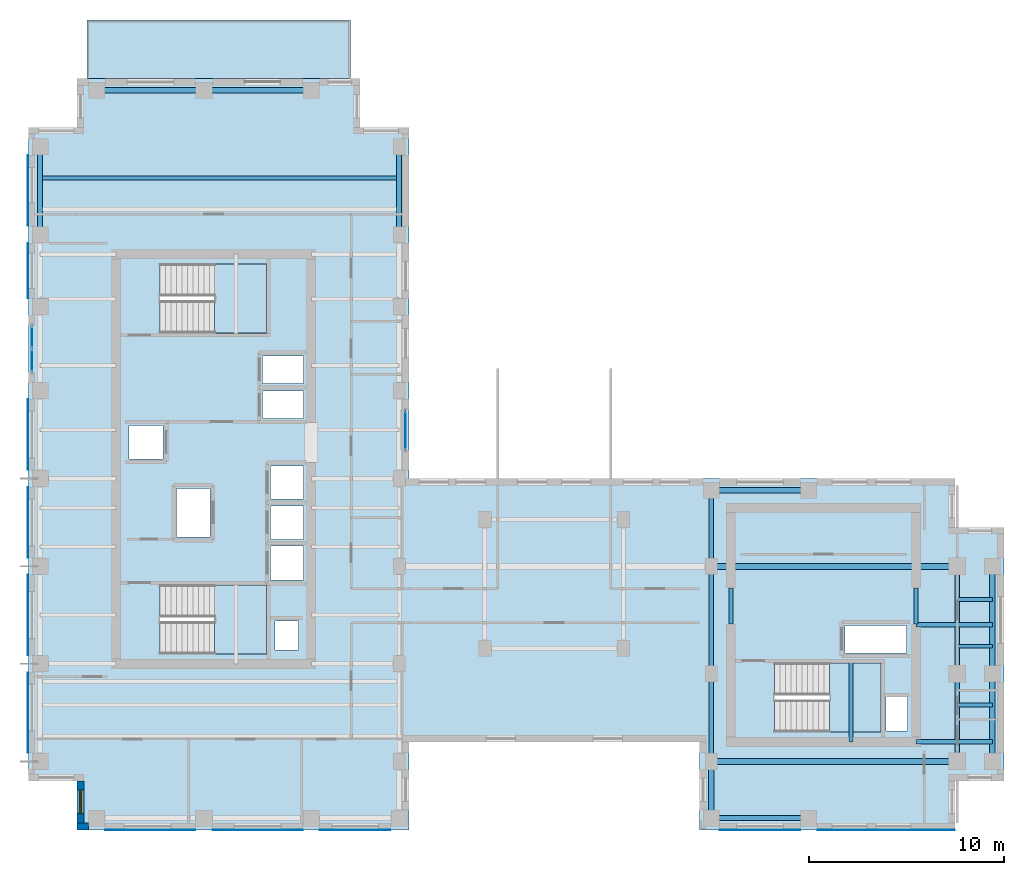
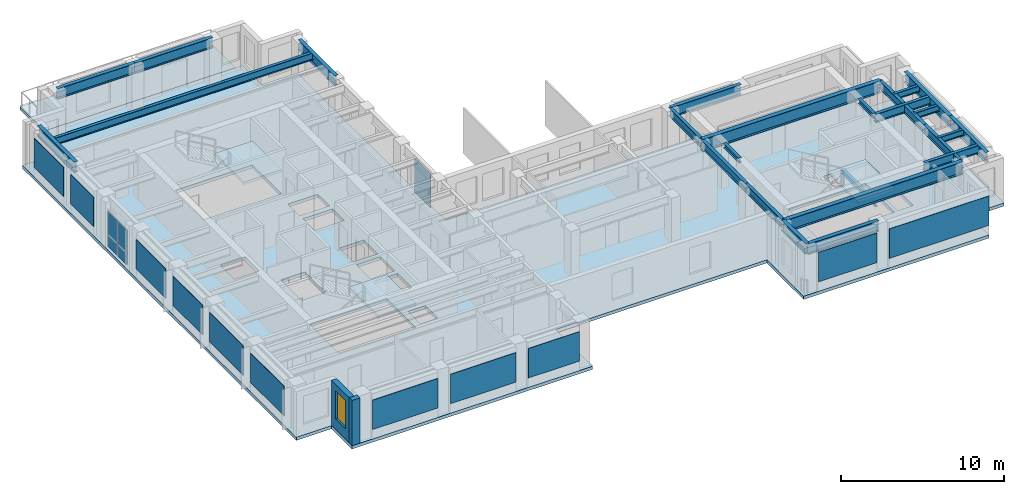
# One storey, part 5 of 14: 25 beams, 14 plates, 5 slabs, 2 walls, 1 window, 1 opening, 5 elements without a shape of their own.
"""IFC4 building model written with IfcOpenShell, lengths in metres."""

import ifcopenshell
import ifcopenshell.guid

model = None  # the IFC model being written
_history = None  # IfcOwnerHistory: only IFC2X3 demands one
_inside = {}  # id of a spatial element -> (the spatial element, [elements in it])
_under = {}  # id of a project, library or spatial element -> (it, [spatial elements below it])
_declared = {}  # id of a project -> (the project, [libraries it declares])
_typed = {}  # id of a type object -> (the type object, [elements of that type])
_made_of = {}  # id of a material, layer set ... -> (it, [elements and type objects made of it])


def new_model(schema):
    """Start an empty IFC model of exactly this schema.

    Asked for "IFC4X3", IfcOpenShell would pick the latest addendum, in which some entities
    have other attributes; the version numbers below select the first issue.
    IFC2X3 requires an IfcOwnerHistory on every rooted entity: one is made here for all.
    """
    global model, _history
    if schema == "IFC4X3":
        model = ifcopenshell.file(schema_version=(4, 3, 0, 0))
    else:
        model = ifcopenshell.file(schema=schema)
    _inside.clear()
    _under.clear()
    _declared.clear()
    _typed.clear()
    _made_of.clear()
    _history = None
    if model.schema == "IFC2X3":
        org = make("IfcOrganization", Name="unknown")
        user = make(
            "IfcPersonAndOrganization",
            ThePerson=make("IfcPerson", FamilyName="unknown"),
            TheOrganization=org,
        )
        app = make(
            "IfcApplication",
            ApplicationDeveloper=org,
            Version="unknown",
            ApplicationFullName="unknown",
            ApplicationIdentifier="unknown",
        )
        _history = make(
            "IfcOwnerHistory",
            OwningUser=user,
            OwningApplication=app,
            ChangeAction="ADDED",
            CreationDate=0,
        )
    return model


def make(cls, **values):
    """One entity of the class cls with the attributes given. An attribute that is None is left unset."""
    return model.create_entity(
        cls, **{name: value for name, value in values.items() if value is not None}
    )


def rooted(cls, **values):
    """An entity with a GlobalId (a new one), such as an element, a storey or a relation."""
    return make(cls, GlobalId=ifcopenshell.guid.new(), OwnerHistory=_history, **values)


def si_unit(unit_type, name, prefix=None):
    """IfcSIUnit, for example si_unit("LENGTHUNIT", "METRE", prefix="MILLI")."""
    return make("IfcSIUnit", UnitType=unit_type, Prefix=prefix, Name=name)


def assignment(units):
    """IfcUnitAssignment: the units of a project."""
    return None if units is None else make("IfcUnitAssignment", Units=units)


def point(xyz):
    """IfcCartesianPoint."""
    return None if xyz is None else make("IfcCartesianPoint", Coordinates=xyz)


def direction(xyz):
    """IfcDirection."""
    return None if xyz is None else make("IfcDirection", DirectionRatios=xyz)


def frame(location, z_axis=None, x_axis=None):
    """IfcAxis2Placement3D, a coordinate frame: its origin and axes. An axis left out is left unset."""
    return make(
        "IfcAxis2Placement3D",
        Location=point(location),
        Axis=direction(z_axis),
        RefDirection=direction(x_axis),
    )


def frame_2d(location, x_axis=None):
    """IfcAxis2Placement2D, a coordinate frame in the plane: its origin and x axis."""
    return make(
        "IfcAxis2Placement2D", Location=point(location), RefDirection=direction(x_axis)
    )


def origin():
    """The frame at (0, 0, 0) with its axes left unset."""
    return frame((0.0, 0.0, 0.0))


def origin_2d():
    """The frame at (0, 0) in the plane with its x axis left unset."""
    return frame_2d((0.0, 0.0))


def place(relative_to, where):
    """IfcLocalPlacement: puts the frame where relative to a parent placement (None: the world)."""
    return make(
        "IfcLocalPlacement", PlacementRelTo=relative_to, RelativePlacement=where
    )


def context(
    kind, dimensions, precision=None, world=None, true_north=None, identifier=None
):
    """IfcGeometricRepresentationContext, for example the 3D "Model" context."""
    return make(
        "IfcGeometricRepresentationContext",
        ContextIdentifier=identifier,
        ContextType=kind,
        CoordinateSpaceDimension=dimensions,
        Precision=precision,
        WorldCoordinateSystem=world,
        TrueNorth=true_north,
    )


def subcontext(parent, identifier, kind, view, scale=None):
    """IfcGeometricRepresentationSubContext, for example "Body" below "Model"."""
    return make(
        "IfcGeometricRepresentationSubContext",
        ContextIdentifier=identifier,
        ContextType=kind,
        ParentContext=parent,
        TargetScale=scale,
        TargetView=view,
    )


def project(units=None, contexts=None):
    """IfcProject with its units and contexts."""
    return rooted(
        "IfcProject",
        Name="project",
        RepresentationContexts=contexts,
        UnitsInContext=assignment(units),
    )


def spatial(cls, under=None, at=None, **own):
    """A site, building, storey or space (cls), placed at a placement, below another one or the project."""
    s = rooted(cls, ObjectPlacement=at, **own)
    if under is not None:
        _under.setdefault(under.id(), (under, []))[1].append(s)
    return s


def polyline(points):
    """IfcPolyline through the points."""
    return make("IfcPolyline", Points=[point(p) for p in points])


def profile(cls, at=None, kind="AREA", **sizes):
    """A parametric profile (cls). Its sizes go by their IFC names, for example OverallWidth=200.0."""
    return make(cls, ProfileType=kind, Position=at, **sizes)


def rectangle(**sizes):
    """IfcRectangleProfileDef."""
    return profile("IfcRectangleProfileDef", **sizes)


def i_section(**sizes):
    """IfcIShapeProfileDef."""
    return profile("IfcIShapeProfileDef", **sizes)


def outline(outer, holes=None, kind="AREA"):
    """IfcArbitraryClosedProfileDef: a profile drawn as a closed curve; with holes, ...WithVoids."""
    if holes is None:
        return make("IfcArbitraryClosedProfileDef", ProfileType=kind, OuterCurve=outer)
    return make(
        "IfcArbitraryProfileDefWithVoids",
        ProfileType=kind,
        OuterCurve=outer,
        InnerCurves=holes,
    )


def extrude(swept, where, along, depth):
    """IfcExtrudedAreaSolid: the profile swept, set in the frame where, extruded along a direction by depth."""
    return make(
        "IfcExtrudedAreaSolid",
        SweptArea=swept,
        Position=where,
        ExtrudedDirection=direction(along),
        Depth=depth,
    )


def shape(context_of_items, identifier, shape_type, items):
    """IfcShapeRepresentation: the items that make up one representation, for example the "Body"."""
    return make(
        "IfcShapeRepresentation",
        ContextOfItems=context_of_items,
        RepresentationIdentifier=identifier,
        RepresentationType=shape_type,
        Items=items,
    )


def source(mapping_origin, context_of_items, identifier, shape_type, items):
    """IfcRepresentationMap: a shape defined once, which mapped items show again and again."""
    return make(
        "IfcRepresentationMap",
        MappingOrigin=mapping_origin,
        MappedRepresentation=shape(context_of_items, identifier, shape_type, items),
    )


def transform(
    local_origin,
    x_axis=None,
    y_axis=None,
    z_axis=None,
    scale=None,
    scale2=None,
    scale3=None,
    uniform=True,
):
    """IfcCartesianTransformationOperator3D, or its non-uniform kind. x_axis, y_axis, z_axis: its Axis1, 2, 3."""
    if uniform:
        return make(
            "IfcCartesianTransformationOperator3D",
            Axis1=direction(x_axis),
            Axis2=direction(y_axis),
            LocalOrigin=point(local_origin),
            Scale=scale,
            Axis3=direction(z_axis),
        )
    return make(
        "IfcCartesianTransformationOperator3DnonUniform",
        Axis1=direction(x_axis),
        Axis2=direction(y_axis),
        LocalOrigin=point(local_origin),
        Scale=scale,
        Axis3=direction(z_axis),
        Scale2=scale2,
        Scale3=scale3,
    )


def mapped(mapping_source, mapping_target):
    """IfcMappedItem: shows the shape of a source again, moved by a transform."""
    return make(
        "IfcMappedItem", MappingSource=mapping_source, MappingTarget=mapping_target
    )


def material(Name=None, Category=None):
    """IfcMaterial."""
    return make("IfcMaterial", Name=Name, Category=Category)


def layer(
    of_material, thickness, ventilated=None, Name=None, Category=None, Priority=None
):
    """IfcMaterialLayer: one layer of a wall or slab, of a material (None: an air gap)."""
    return make(
        "IfcMaterialLayer",
        Material=of_material,
        LayerThickness=thickness,
        IsVentilated=ventilated,
        Name=Name,
        Category=Category,
        Priority=Priority,
    )


def layer_set(layers, Name=None):
    """IfcMaterialLayerSet."""
    return make("IfcMaterialLayerSet", MaterialLayers=layers, LayerSetName=Name)


def material_profile(
    of_material, cross_section, Name=None, Category=None, Priority=None
):
    """IfcMaterialProfile: a cross section and its material."""
    return make(
        "IfcMaterialProfile",
        Name=Name,
        Material=of_material,
        Profile=cross_section,
        Priority=Priority,
        Category=Category,
    )


def profile_set(profiles, Name=None, composite=None):
    """IfcMaterialProfileSet."""
    return make(
        "IfcMaterialProfileSet",
        Name=Name,
        MaterialProfiles=profiles,
        CompositeProfile=composite,
    )


def made_of(thing, what):
    """Note that an element or type object is made of a material, layer set ...; save() writes the relation."""
    if what is not None:
        _made_of.setdefault(what.id(), (what, []))[1].append(thing)
    return thing


def type_object(cls, material=None, **own):
    """A type object (cls), such as IfcWallType, which elements share."""
    return made_of(rooted(cls, **own), material)


def element(
    cls,
    number,
    at=None,
    inside=None,
    cuts=None,
    type_object=None,
    material=None,
    context=None,
    identifier="Body",
    shape_type=None,
    held_by="IfcProductDefinitionShape",
    body=None,
    shapes=None,
    **own,
):
    """One element of the class cls, such as IfcWall. Its Tag is "e" and its number.

    at: its placement. inside: the storey or other place that contains it. cuts: it is an
    opening in that element (IfcRelVoidsElement). A single representation is given by context,
    identifier, shape_type and body (its items); several are given by shapes. held_by: the class
    of the entity that holds the representations. save() writes the other relations.
    """
    e = rooted(cls, Tag="e%d" % number, ObjectPlacement=at, **own)
    if body is not None:
        shapes = [shape(context, identifier, shape_type, body)]
    if shapes is not None:
        e.Representation = make(held_by, Representations=shapes)
    if inside is not None:
        _inside.setdefault(inside.id(), (inside, []))[1].append(e)
    if cuts is not None:
        rooted(
            "IfcRelVoidsElement", RelatingBuildingElement=cuts, RelatedOpeningElement=e
        )
    if type_object is not None:
        _typed.setdefault(type_object.id(), (type_object, []))[1].append(e)
    return made_of(e, material)


def fill(opening, filler):
    """IfcRelFillsElement: the door or window that sits in an opening."""
    return rooted(
        "IfcRelFillsElement",
        RelatingOpeningElement=opening,
        RelatedBuildingElement=filler,
    )


def aggregate(whole, parts):
    """IfcRelAggregates: a whole, such as a stair, and the parts it consists of."""
    return rooted("IfcRelAggregates", RelatingObject=whole, RelatedObjects=parts)


def save(model, path):
    """Write the relations noted so far, then the file.

    IfcRelAggregates (storeys below a building ...), IfcRelContainedInSpatialStructure (elements
    in a storey), IfcRelDefinesByType, IfcRelAssociatesMaterial and IfcRelDeclares: one each for
    every whole, place, type object, material and project.
    """
    for whole, parts in _under.values():
        aggregate(whole, parts)
    for where, things in _inside.values():
        rooted(
            "IfcRelContainedInSpatialStructure",
            RelatedElements=things,
            RelatingStructure=where,
        )
    for kind, things in _typed.values():
        rooted("IfcRelDefinesByType", RelatedObjects=things, RelatingType=kind)
    for what, things in _made_of.values():
        rooted("IfcRelAssociatesMaterial", RelatedObjects=things, RelatingMaterial=what)
    for by, libraries in _declared.values():
        rooted("IfcRelDeclares", RelatingContext=by, RelatedDefinitions=libraries)
    model.write(path)


model = new_model("IFC4")

# Units and contexts
model_context = context("Model", 3, precision=1e-05, world=origin(), true_north=direction((0.0, 1.0)))
body_context = subcontext(model_context, "Body", "Model", "MODEL_VIEW")
ifc_project = project(units=[si_unit("LENGTHUNIT", "METRE"), si_unit("AREAUNIT", "SQUARE_METRE"), si_unit("VOLUMEUNIT", "CUBIC_METRE"), si_unit("PLANEANGLEUNIT", "RADIAN"), si_unit("MASSUNIT", "GRAM", prefix="KILO")], contexts=[model_context])

# Site, building, storey
site_placement = place(None, origin())
site = spatial("IfcSite", under=ifc_project, at=site_placement, CompositionType="ELEMENT")
building_placement = place(site_placement, origin())
building = spatial("IfcBuilding", under=site, at=building_placement, Name="Kharzan Plaza Tower", CompositionType="ELEMENT")
storey_placement = place(building_placement, frame((0.0, 0.0, 212.39990234375)))
storey = spatial("IfcBuildingStorey", under=building, at=storey_placement, Name="L57", CompositionType="ELEMENT", Elevation=212.39990234375)

# Beams
ifc_material_1 = material(Name="Steel S355", Category="steel")
ifc_material_profile_1 = material_profile(ifc_material_1, i_section(OverallWidth=0.205078125, OverallDepth=0.35400390625, WebThickness=0.009521484375, FlangeThickness=0.016845703125, at=origin_2d()), Name="W360x79")
ifc_profile_set_1 = profile_set([ifc_material_profile_1], Name="Steel S355")
beam_type_1 = type_object("IfcBeamType", Name="BM-LNT360", PredefinedType="LINTEL", material=ifc_profile_set_1)
shared_shape_1 = source(origin(), body_context, "Body", "SweptSolid", [
    extrude(i_section(OverallWidth=0.205078125, OverallDepth=0.35400390625, WebThickness=0.009521484375, FlangeThickness=0.016845703125, at=origin_2d()), origin(), (0.0, 0.0, 1.0), 1.849853515625),
])
for number, where, z_axis, x_axis, name in (
    (1, (45.5, 10.550048828125, 3.22314453125), (0.0, 1.0, 0.0), (-1.0, 0.0, 0.0), "L57 CORE-B coupling lintel LN1-WE"),
    (2, (36.0, 10.550048828125, 3.22314453125), (0.0, 1.0, 0.0), (-1.0, 0.0, 0.0), "L57 CORE-B coupling lintel LN1-WW"),
):
    element("IfcBeam", number, at=place(storey_placement, frame(where, z_axis=z_axis, x_axis=x_axis)), inside=storey, type_object=beam_type_1, Name=name, PredefinedType="LINTEL", context=body_context, shape_type="MappedRepresentation", body=[
        mapped(shared_shape_1, transform((0.0, 0.0, 0.0), x_axis=(1.0, 0.0, 0.0), y_axis=(0.0, 1.0, 0.0), z_axis=(0.0, 0.0, 1.0))),
    ])
shared_shape_2 = source(origin(), body_context, "Body", "SweptSolid", [
    extrude(i_section(OverallWidth=0.205078125, OverallDepth=0.35400390625, WebThickness=0.009521484375, FlangeThickness=0.016845703125, at=origin_2d()), origin(), (0.0, 0.0, 1.0), 4.155029296875),
])
beam_1_placement = place(storey_placement, frame((42.14990234375, 4.5, 1.423095703125), z_axis=(0.0, 1.0, 0.0), x_axis=(-1.0, 0.0, 0.0)))
element("IfcBeam", 3, at=beam_1_placement, inside=storey, type_object=beam_type_1, Name="L57 Stair ST-3 Half-Landing Beam", PredefinedType="LINTEL", context=body_context, shape_type="MappedRepresentation", body=[
    mapped(shared_shape_2, transform((0.0, 0.0, 0.0), x_axis=(1.0, 0.0, 0.0), y_axis=(0.0, 1.0, 0.0), z_axis=(0.0, 0.0, 1.0))),
])
ifc_material_profile_2 = material_profile(ifc_material_1, i_section(OverallWidth=0.304931640625, OverallDepth=0.9189453125, WebThickness=0.017333984375, FlangeThickness=0.02783203125, at=origin_2d()), Name="W920x253")
ifc_profile_set_2 = profile_set([ifc_material_profile_2], Name="Steel S355")
beam_type_2 = type_object("IfcBeamType", Name="BM-FG920B", PredefinedType="BEAM", material=ifc_profile_set_2)
shared_shape_3 = source(origin(), body_context, "Body", "SweptSolid", [
    extrude(i_section(OverallWidth=0.304931640625, OverallDepth=0.9189453125, WebThickness=0.017333984375, FlangeThickness=0.02783203125, at=origin_2d()), origin(), (0.0, 0.0, 1.0), 12.60009765625),
])
for number, where, z_axis, x_axis, name in (
    (4, (35.0, 3.5, 2.940673828125), (1.0, 0.0, 0.0), (0.0, 1.0, 0.0), "L57 Primary Floor Girder"),
    (5, (35.0, 13.5, 2.940673828125), (1.0, 0.0, 0.0), (0.0, 1.0, 0.0), "L57 Primary Floor Girder"),
):
    element("IfcBeam", number, at=place(storey_placement, frame(where, z_axis=z_axis, x_axis=x_axis)), inside=storey, type_object=beam_type_2, Name=name, PredefinedType="BEAM", context=body_context, shape_type="MappedRepresentation", body=[
        mapped(shared_shape_3, transform((0.0, 0.0, 0.0), x_axis=(1.0, 0.0, 0.0), y_axis=(0.0, 1.0, 0.0), z_axis=(0.0, 0.0, 1.0))),
    ])
ifc_material_profile_3 = material_profile(ifc_material_1, i_section(OverallWidth=0.2099609375, OverallDepth=0.537109375, WebThickness=0.010986328125, FlangeThickness=0.017333984375, at=origin_2d()), Name="W530x101")
ifc_profile_set_3 = profile_set([ifc_material_profile_3], Name="Steel S355")
beam_type_3 = type_object("IfcBeamType", Name="BM-JST530B", PredefinedType="JOIST", material=ifc_profile_set_3)
shared_shape_4 = source(origin(), body_context, "Body", "SweptSolid", [
    extrude(i_section(OverallWidth=0.2099609375, OverallDepth=0.537109375, WebThickness=0.010986328125, FlangeThickness=0.017333984375, at=origin_2d()), origin(), (0.0, 0.0, 1.0), 18.39990234375),
])
beam_2_placement = place(storey_placement, frame((0.60009765625, 33.39990234375, 3.131591796875), z_axis=(1.0, 0.0, 0.0), x_axis=(0.0, 1.0, 0.0)))
element("IfcBeam", 6, at=beam_2_placement, inside=storey, type_object=beam_type_3, Name="L57 Wing A Composite Joist 05", PredefinedType="JOIST", context=body_context, shape_type="MappedRepresentation", body=[
    mapped(shared_shape_4, transform((0.0, 0.0, 0.0), x_axis=(1.0, 0.0, 0.0), y_axis=(0.0, 1.0, 0.0), z_axis=(0.0, 0.0, 1.0))),
])
ifc_material_profile_4 = material_profile(ifc_material_1, i_section(OverallWidth=0.22900390625, OverallDepth=0.612060546875, WebThickness=0.011962890625, FlangeThickness=0.01953125, at=origin_2d()), Name="W610x125")
ifc_profile_set_4 = profile_set([ifc_material_profile_4], Name="Steel S355")
beam_type_4 = type_object("IfcBeamType", Name="BM-FG610B", PredefinedType="BEAM", material=ifc_profile_set_4)
shared_shape_5 = source(origin(), body_context, "Body", "SweptSolid", [
    extrude(i_section(OverallWidth=0.22900390625, OverallDepth=0.612060546875, WebThickness=0.011962890625, FlangeThickness=0.01953125, at=origin_2d()), origin(), (0.0, 0.0, 1.0), 4.5),
])
for number, where, z_axis, x_axis, name in (
    (7, (35.0, 3.5, 3.093994140625), (0.0, 1.0, 0.0), (-1.0, 0.0, 0.0), "L57 Interior Frame Girder"),
    (8, (47.60009765625, 3.5, 3.093994140625), (0.0, 1.0, 0.0), (-1.0, 0.0, 0.0), "L57 Interior Frame Girder"),
):
    element("IfcBeam", number, at=place(storey_placement, frame(where, z_axis=z_axis, x_axis=x_axis)), inside=storey, type_object=beam_type_4, Name=name, PredefinedType="BEAM", context=body_context, shape_type="MappedRepresentation", body=[
        mapped(shared_shape_5, transform((0.0, 0.0, 0.0), x_axis=(1.0, 0.0, 0.0), y_axis=(0.0, 1.0, 0.0), z_axis=(0.0, 0.0, 1.0))),
    ])
shared_shape_6 = source(origin(), body_context, "Body", "SweptSolid", [
    extrude(i_section(OverallWidth=0.22900390625, OverallDepth=0.612060546875, WebThickness=0.011962890625, FlangeThickness=0.01953125, at=origin_2d()), origin(), (0.0, 0.0, 1.0), 3.89990234375),
])
for number, where, z_axis, x_axis, name in (
    (9, (45.5, 4.5, 3.093994140625), (1.0, 0.0, 0.0), (0.0, 1.0, 0.0), "L57 Core-B East Floor Girder 1"),
    (10, (45.5, 10.5, 3.093994140625), (1.0, 0.0, 0.0), (0.0, 1.0, 0.0), "L57 Core-B East Floor Girder 2"),
    (11, (35.0, 13.5, 3.093994140625), (0.0, 1.0, 0.0), (-1.0, 0.0, 0.0), "L57 Interior Frame Girder"),
):
    element("IfcBeam", number, at=place(storey_placement, frame(where, z_axis=z_axis, x_axis=x_axis)), inside=storey, type_object=beam_type_4, Name=name, PredefinedType="BEAM", context=body_context, shape_type="MappedRepresentation", body=[
        mapped(shared_shape_6, transform((0.0, 0.0, 0.0), x_axis=(1.0, 0.0, 0.0), y_axis=(0.0, 1.0, 0.0), z_axis=(0.0, 0.0, 1.0))),
    ])
shared_shape_7 = source(origin(), body_context, "Body", "SweptSolid", [
    extrude(i_section(OverallWidth=0.22900390625, OverallDepth=0.612060546875, WebThickness=0.011962890625, FlangeThickness=0.01953125, at=origin_2d()), origin(), (0.0, 0.0, 1.0), 5.5),
])
for number, where, z_axis, x_axis, name in (
    (12, (35.0, 8.0, 3.093994140625), (0.0, 1.0, 0.0), (-1.0, 0.0, 0.0), "L57 Interior Frame Girder"),
    (13, (47.60009765625, 8.0, 3.093994140625), (0.0, 1.0, 0.0), (-1.0, 0.0, 0.0), "L57 Interior Frame Girder"),
):
    element("IfcBeam", number, at=place(storey_placement, frame(where, z_axis=z_axis, x_axis=x_axis)), inside=storey, type_object=beam_type_4, Name=name, PredefinedType="BEAM", context=body_context, shape_type="MappedRepresentation", body=[
        mapped(shared_shape_7, transform((0.0, 0.0, 0.0), x_axis=(1.0, 0.0, 0.0), y_axis=(0.0, 1.0, 0.0), z_axis=(0.0, 0.0, 1.0))),
    ])
ifc_material_profile_5 = material_profile(ifc_material_1, i_section(OverallWidth=0.194091796875, OverallDepth=0.468994140625, WebThickness=0.011474609375, FlangeThickness=0.0205078125, at=origin_2d()), Name="W460x106")
ifc_profile_set_5 = profile_set([ifc_material_profile_5], Name="Steel S355")
beam_type_5 = type_object("IfcBeamType", Name="BM-JST460", PredefinedType="JOIST", material=ifc_profile_set_5)
shared_shape_8 = source(origin(), body_context, "Body", "SweptSolid", [
    extrude(i_section(OverallWidth=0.194091796875, OverallDepth=0.468994140625, WebThickness=0.011474609375, FlangeThickness=0.0205078125, at=origin_2d()), origin(), (0.0, 0.0, 1.0), 1.7998046875),
])
for number, where, z_axis, x_axis, name in (
    (14, (47.60009765625, 6.39990234375, 3.16552734375), (1.0, 0.0, 0.0), (0.0, 1.0, 0.0), "L57 Wing B Composite Joist 02"),
    (15, (47.60009765625, 9.39990234375, 3.16552734375), (1.0, 0.0, 0.0), (0.0, 1.0, 0.0), "L57 Wing B Composite Joist 03"),
    (16, (47.60009765625, 11.800048828125, 3.16552734375), (1.0, 0.0, 0.0), (0.0, 1.0, 0.0), "L57 Wing B Composite Joist 04"),
):
    element("IfcBeam", number, at=place(storey_placement, frame(where, z_axis=z_axis, x_axis=x_axis)), inside=storey, type_object=beam_type_5, Name=name, PredefinedType="JOIST", context=body_context, shape_type="MappedRepresentation", body=[
        mapped(shared_shape_8, transform((0.0, 0.0, 0.0), x_axis=(1.0, 0.0, 0.0), y_axis=(0.0, 1.0, 0.0), z_axis=(0.0, 0.0, 1.0))),
    ])
ifc_material_profile_6 = material_profile(ifc_material_1, i_section(OverallWidth=0.26708984375, OverallDepth=0.76611328125, WebThickness=0.014892578125, FlangeThickness=0.023681640625, at=origin_2d()), Name="W760x185")
ifc_profile_set_6 = profile_set([ifc_material_profile_6], Name="Steel S355")
beam_type_6 = type_object("IfcBeamType", Name="BM-SP760B", PredefinedType="SPANDREL", material=ifc_profile_set_6)
shared_shape_9 = source(origin(), body_context, "Body", "SweptSolid", [
    extrude(i_section(OverallWidth=0.26708984375, OverallDepth=0.76611328125, WebThickness=0.014892578125, FlangeThickness=0.023681640625, at=origin_2d()), origin(), (0.0, 0.0, 1.0), 5.0),
])
for number, where, z_axis, x_axis, name in (
    (17, (35.0, 0.60009765625, 3.01708984375), (1.0, 0.0, 0.0), (0.0, 1.0, 0.0), "L57 Perimeter Tube Spandrel"),
    (18, (35.0, 17.39990234375, 3.01708984375), (1.0, 0.0, 0.0), (0.0, 1.0, 0.0), "L57 Perimeter Tube Spandrel"),
):
    element("IfcBeam", number, at=place(storey_placement, frame(where, z_axis=z_axis, x_axis=x_axis)), inside=storey, type_object=beam_type_6, Name=name, PredefinedType="SPANDREL", context=body_context, shape_type="MappedRepresentation", body=[
        mapped(shared_shape_9, transform((0.0, 0.0, 0.0), x_axis=(1.0, 0.0, 0.0), y_axis=(0.0, 1.0, 0.0), z_axis=(0.0, 0.0, 1.0))),
    ])
shared_shape_10 = source(origin(), body_context, "Body", "SweptSolid", [
    extrude(i_section(OverallWidth=0.26708984375, OverallDepth=0.76611328125, WebThickness=0.014892578125, FlangeThickness=0.023681640625, at=origin_2d()), origin(), (0.0, 0.0, 1.0), 4.5),
])
for number, where, z_axis, x_axis, name in (
    (19, (0.60009765625, 30.5, 3.01708984375), (0.0, 1.0, 0.0), (-1.0, 0.0, 0.0), "L57 Perimeter Tube Spandrel"),
    (20, (19.0, 30.5, 3.01708984375), (0.0, 1.0, 0.0), (-1.0, 0.0, 0.0), "L57 Perimeter Tube Spandrel"),
    (21, (49.39990234375, 3.5, 3.01708984375), (0.0, 1.0, 0.0), (-1.0, 0.0, 0.0), "L57 Perimeter Tube Spandrel"),
):
    element("IfcBeam", number, at=place(storey_placement, frame(where, z_axis=z_axis, x_axis=x_axis)), inside=storey, type_object=beam_type_6, Name=name, PredefinedType="SPANDREL", context=body_context, shape_type="MappedRepresentation", body=[
        mapped(shared_shape_10, transform((0.0, 0.0, 0.0), x_axis=(1.0, 0.0, 0.0), y_axis=(0.0, 1.0, 0.0), z_axis=(0.0, 0.0, 1.0))),
    ])
shared_shape_11 = source(origin(), body_context, "Body", "SweptSolid", [
    extrude(i_section(OverallWidth=0.26708984375, OverallDepth=0.76611328125, WebThickness=0.014892578125, FlangeThickness=0.023681640625, at=origin_2d()), origin(), (0.0, 0.0, 1.0), 2.89990234375),
])
beam_3_placement = place(storey_placement, frame((35.0, 0.60009765625, 3.01708984375), z_axis=(0.0, 1.0, 0.0), x_axis=(-1.0, 0.0, 0.0)))
element("IfcBeam", 22, at=beam_3_placement, inside=storey, type_object=beam_type_6, Name="L57 Perimeter Tube Spandrel", PredefinedType="SPANDREL", context=body_context, shape_type="MappedRepresentation", body=[
    mapped(shared_shape_11, transform((0.0, 0.0, 0.0), x_axis=(1.0, 0.0, 0.0), y_axis=(0.0, 1.0, 0.0), z_axis=(0.0, 0.0, 1.0))),
])
shared_shape_12 = source(origin(), body_context, "Body", "SweptSolid", [
    extrude(i_section(OverallWidth=0.26708984375, OverallDepth=0.76611328125, WebThickness=0.014892578125, FlangeThickness=0.023681640625, at=origin_2d()), origin(), (0.0, 0.0, 1.0), 5.5),
])
for number, where, z_axis, x_axis, name in (
    (23, (49.39990234375, 8.0, 3.01708984375), (0.0, 1.0, 0.0), (-1.0, 0.0, 0.0), "L57 Perimeter Tube Spandrel"),
    (24, (3.5, 37.89990234375, 3.01708984375), (1.0, 0.0, 0.0), (0.0, 1.0, 0.0), "L57 Perimeter Tube Spandrel"),
    (25, (9.0, 37.89990234375, 3.01708984375), (1.0, 0.0, 0.0), (0.0, 1.0, 0.0), "L57 Perimeter Tube Spandrel"),
):
    element("IfcBeam", number, at=place(storey_placement, frame(where, z_axis=z_axis, x_axis=x_axis)), inside=storey, type_object=beam_type_6, Name=name, PredefinedType="SPANDREL", context=body_context, shape_type="MappedRepresentation", body=[
        mapped(shared_shape_12, transform((0.0, 0.0, 0.0), x_axis=(1.0, 0.0, 0.0), y_axis=(0.0, 1.0, 0.0), z_axis=(0.0, 0.0, 1.0))),
    ])

# Slab
ifc_material_2 = material(Name="Concrete C40/50", Category="concrete")
ifc_layer_1 = layer(ifc_material_2, 0.239990234375)
ifc_layer_set_1 = layer_set([ifc_layer_1], Name="Concrete C40/50")
slab_type_1 = type_object("IfcSlabType", Name="SL-FLOOR-240", PredefinedType="FLOOR", material=ifc_layer_set_1)
slab_1_placement = place(storey_placement, frame((0.0, 0.0, -0.239990234375)))
element("IfcSlab", 26, at=slab_1_placement, inside=storey, type_object=slab_type_1, Name="L57 Composite Structural Floor Slab 240 mm", PredefinedType="FLOOR", context=body_context, shape_type="SweptSolid", body=[
    extrude(outline(polyline([(34.39990234375, 18.0), (19.5, 18.0), (19.5, 36.0), (17.0, 36.0), (17.0, 38.5), (2.5, 38.5), (2.5, 36.0), (0.0, 36.0), (0.0, 2.5), (2.5, 2.5), (2.5, 0.0), (19.5, 0.0), (19.5, 4.5), (34.39990234375, 4.5), (34.39990234375, 0.0), (47.5, 0.0), (47.5, 2.5), (50.0, 2.5), (50.0, 15.5), (47.5, 15.5), (47.5, 18.0), (34.39990234375, 18.0)]), holes=[polyline([(12.199951171875, 12.550048828125), (6.75, 12.550048828125), (6.75, 9.0), (12.199951171875, 9.0), (12.199951171875, 12.550048828125)]), polyline([(14.10009765625, 12.800048828125), (14.10009765625, 14.530029296875), (12.39990234375, 14.530029296875), (12.39990234375, 12.800048828125), (14.10009765625, 12.800048828125)]), polyline([(9.300048828125, 15.0), (9.300048828125, 17.5), (7.60009765625, 17.5), (7.60009765625, 15.0), (9.300048828125, 15.0)]), polyline([(6.89990234375, 20.72998046875), (5.14990234375, 20.72998046875), (5.14990234375, 19.010009765625), (6.89990234375, 19.010009765625), (6.89990234375, 20.72998046875)]), polyline([(14.10009765625, 21.070068359375), (14.10009765625, 22.489990234375), (12.0, 22.489990234375), (12.0, 21.070068359375), (14.10009765625, 21.070068359375)]), polyline([(14.10009765625, 22.8701171875), (14.10009765625, 24.2900390625), (12.0, 24.2900390625), (12.0, 22.8701171875), (14.10009765625, 22.8701171875)]), polyline([(12.199951171875, 29.0), (6.75, 29.0), (6.75, 25.449951171875), (12.199951171875, 25.449951171875), (12.199951171875, 29.0)]), polyline([(45.050048828125, 5.050048828125), (45.050048828125, 6.800048828125), (43.949951171875, 6.800048828125), (43.949951171875, 5.050048828125), (45.050048828125, 5.050048828125)]), polyline([(43.699951171875, 5.0), (43.699951171875, 8.550048828125), (38.25, 8.550048828125), (38.25, 5.0), (43.699951171875, 5.0)]), polyline([(45.0, 9.070068359375), (45.0, 10.469970703125), (41.85009765625, 10.469970703125), (41.85009765625, 9.070068359375), (45.0, 9.070068359375)]), polyline([(13.85009765625, 9.199951171875), (13.85009765625, 10.699951171875), (12.64990234375, 10.699951171875), (12.64990234375, 9.199951171875), (13.85009765625, 9.199951171875)]), polyline([(14.10009765625, 14.8701171875), (14.10009765625, 16.60009765625), (12.39990234375, 16.60009765625), (12.39990234375, 14.8701171875), (14.10009765625, 14.8701171875)]), polyline([(14.10009765625, 16.93994140625), (14.10009765625, 18.64990234375), (12.39990234375, 18.64990234375), (12.39990234375, 16.93994140625), (14.10009765625, 16.93994140625)])]), origin(), (0.0, 0.0, 1.0), 0.239990234375),
])

# Stair, slab
stair_type_1 = type_object("IfcStairType", Name="STR-ST-1", PredefinedType="HALF_TURN_STAIR", material=ifc_material_2)
stair_1_placement = place(storey_placement, origin())
stair_1 = element("IfcStair", 27, at=stair_1_placement, inside=storey, type_object=stair_type_1, Name="L57 Protected Exit Stair ST-1", PredefinedType="HALF_TURN_STAIR")
ifc_layer_2 = layer(ifc_material_2, 0.219970703125)
ifc_layer_set_2 = layer_set([ifc_layer_2], Name="Concrete C40/50")
slab_type_2 = type_object("IfcSlabType", Name="SL-LANDING-220", PredefinedType="LANDING", material=ifc_layer_set_2)
slab_2_placement = place(storey_placement, frame((0.0, 0.0, 1.60009765625)))
slab_2 = element("IfcSlab", 28, at=slab_2_placement, type_object=slab_type_2, Name="ST-1 landing 1", PredefinedType="LANDING", context=body_context, shape_type="SweptSolid", body=[
    extrude(outline(polyline([(9.550048828125, 9.0), (12.199951171875, 9.0), (12.199951171875, 12.550048828125), (9.550048828125, 12.550048828125), (9.550048828125, 9.0)])), origin(), (0.0, 0.0, 1.0), 0.199951171875),
])
aggregate(stair_1, [slab_2])

stair_type_2 = type_object("IfcStairType", Name="STR-ST-2", PredefinedType="HALF_TURN_STAIR", material=ifc_material_2)
stair_2_placement = place(storey_placement, origin())
stair_2 = element("IfcStair", 29, at=stair_2_placement, inside=storey, type_object=stair_type_2, Name="L57 Protected Exit Stair ST-2", PredefinedType="HALF_TURN_STAIR")
slab_3_placement = place(storey_placement, frame((0.0, 0.0, 1.60009765625)))
slab_3 = element("IfcSlab", 30, at=slab_3_placement, type_object=slab_type_2, Name="ST-2 landing 1", PredefinedType="LANDING", context=body_context, shape_type="SweptSolid", body=[
    extrude(outline(polyline([(9.550048828125, 25.449951171875), (12.199951171875, 25.449951171875), (12.199951171875, 29.0), (9.550048828125, 29.0), (9.550048828125, 25.449951171875)])), origin(), (0.0, 0.0, 1.0), 0.199951171875),
])
aggregate(stair_2, [slab_3])

stair_type_3 = type_object("IfcStairType", Name="STR-ST-3", PredefinedType="HALF_TURN_STAIR", material=ifc_material_2)
stair_3_placement = place(storey_placement, origin())
stair_3 = element("IfcStair", 31, at=stair_3_placement, inside=storey, type_object=stair_type_3, Name="L57 Protected Exit Stair ST-3", PredefinedType="HALF_TURN_STAIR")
slab_4_placement = place(storey_placement, frame((0.0, 0.0, 1.60009765625)))
slab_4 = element("IfcSlab", 32, at=slab_4_placement, type_object=slab_type_2, Name="ST-3 landing 1", PredefinedType="LANDING", context=body_context, shape_type="SweptSolid", body=[
    extrude(outline(polyline([(41.050048828125, 5.0), (43.699951171875, 5.0), (43.699951171875, 8.550048828125), (41.050048828125, 8.550048828125), (41.050048828125, 5.0)])), origin(), (0.0, 0.0, 1.0), 0.199951171875),
])
aggregate(stair_3, [slab_4])

# Slab
ifc_layer_3 = layer(ifc_material_2, 0.235107421875)
ifc_layer_set_3 = layer_set([ifc_layer_3], Name="Concrete C40/50")
slab_type_3 = type_object("IfcSlabType", Name="SL-TERR-TS-SB3", PredefinedType="ROOF", material=ifc_layer_set_3)
slab_5_placement = place(storey_placement, frame((0.0, 0.0, -0.23486328125)))
element("IfcSlab", 33, at=slab_5_placement, inside=storey, type_object=slab_type_3, Name="L57 Upper Setback Sky Terrace", PredefinedType="ROOF", context=body_context, shape_type="SweptSolid", body=[
    extrude(outline(polyline([(3.0, 38.5), (16.5, 38.5), (16.5, 41.5), (3.0, 41.5), (3.0, 38.5)])), origin(), (0.0, 0.0, 1.0), 0.23486328125),
])

# Curtain wall, plate
ifc_material_3 = material(Name="Unitised Bronze-Anodized Aluminium and Low-E Glass", Category="aluminium")
ifc_layer_4 = layer(ifc_material_3, 0.199951171875)
ifc_layer_set_4 = layer_set([ifc_layer_4], Name="Unitised Bronze-Anodized Aluminium and Low-E Glass")
curtain_wall_type_1 = type_object("IfcCurtainWallType", Name="CW-SLOT-3", PredefinedType="NOTDEFINED", material=ifc_layer_set_4)
curtain_wall_1_placement = place(storey_placement, origin())
curtain_wall_1 = element("IfcCurtainWall", 34, at=curtain_wall_1_placement, inside=storey, type_object=curtain_wall_type_1, Name="L57 West Slot Recessed Spine Curtain Wall", PredefinedType="NOTDEFINED")
ifc_material_4 = material(Name="Dark Solar-Control Double Glazing", Category="glass")
ifc_layer_5 = layer(ifc_material_4, 0.031982421875)
ifc_layer_set_5 = layer_set([ifc_layer_5], Name="Dark Solar-Control Double Glazing")
plate_type_1 = type_object("IfcPlateType", Name="PLT-CW-GLASS", PredefinedType="CURTAIN_PANEL", material=ifc_layer_set_5)
shared_shape_13 = source(origin(), body_context, "Body", "SweptSolid", [
    extrude(rectangle(XDim=1.929931640625, YDim=0.031982421875, at=origin_2d()), origin(), (0.0, 0.0, 1.0), 2.5400390625),
])
plate_1_placement = place(storey_placement, frame((19.320068359375, 20.47509765625, 0.080078125), z_axis=(0.0, 0.0, 1.0), x_axis=(0.0, 1.0, 0.0)))
plate_1 = element("IfcPlate", 35, at=plate_1_placement, type_object=plate_type_1, Name="L57 Curtain-Wall Glazed Panel 00", PredefinedType="CURTAIN_PANEL", context=body_context, shape_type="MappedRepresentation", body=[
    mapped(shared_shape_13, transform((0.0, 0.0, 0.0), x_axis=(1.0, 0.0, 0.0), y_axis=(0.0, 1.0, 0.0), z_axis=(0.0, 0.0, 1.0))),
])
aggregate(curtain_wall_1, [plate_1])

# Curtain wall, plates
ifc_layer_6 = layer(ifc_material_3, 0.199951171875)
ifc_layer_set_6 = layer_set([ifc_layer_6], Name="Unitised Bronze-Anodized Aluminium and Low-E Glass")
curtain_wall_type_2 = type_object("IfcCurtainWallType", Name="CW-SKY-4", PredefinedType="NOTDEFINED", material=ifc_layer_set_6)
curtain_wall_2_placement = place(storey_placement, origin())
curtain_wall_2 = element("IfcCurtainWall", 36, at=curtain_wall_2_placement, inside=storey, type_object=curtain_wall_type_2, Name="L57 Sky-Lobby and Transfer Zone Feature Curtain Wall", PredefinedType="NOTDEFINED")
shared_shape_14 = source(origin(), body_context, "Body", "SweptSolid", [
    extrude(rectangle(XDim=1.080078125, YDim=0.031982421875, at=origin_2d()), origin(), (0.0, 0.0, 1.0), 2.590087890625),
])
plate_2_placement = place(storey_placement, frame((0.179931640625, 24.050048828125, 0.080078125), z_axis=(0.0, 0.0, 1.0), x_axis=(0.0, 1.0, 0.0)))
plate_2 = element("IfcPlate", 37, at=plate_2_placement, type_object=plate_type_1, Name="L57 Curtain-Wall Glazed Panel 00", PredefinedType="CURTAIN_PANEL", context=body_context, shape_type="MappedRepresentation", body=[
    mapped(shared_shape_14, transform((0.0, 0.0, 0.0), x_axis=(1.0, 0.0, 0.0), y_axis=(0.0, 1.0, 0.0), z_axis=(0.0, 0.0, 1.0))),
])
plate_3_placement = place(storey_placement, frame((0.179931640625, 25.25, 0.080078125), z_axis=(0.0, 0.0, 1.0), x_axis=(0.0, 1.0, 0.0)))
plate_3 = element("IfcPlate", 38, at=plate_3_placement, type_object=plate_type_1, Name="L57 Curtain-Wall Glazed Panel 01", PredefinedType="CURTAIN_PANEL", context=body_context, shape_type="MappedRepresentation", body=[
    mapped(shared_shape_14, transform((0.0, 0.0, 0.0), x_axis=(1.0, 0.0, 0.0), y_axis=(0.0, 1.0, 0.0), z_axis=(0.0, 0.0, 1.0))),
])
aggregate(curtain_wall_2, [plate_2, plate_3])

# Plates
ifc_material_5 = material(Name="Perforated Bronze-Anodized Aluminium", Category="aluminium")
ifc_layer_7 = layer(ifc_material_5, 0.030029296875)
ifc_layer_set_7 = layer_set([ifc_layer_7], Name="Perforated Bronze-Anodized Aluminium")
plate_type_2 = type_object("IfcPlateType", Name="PLT-MASH-SCREEN", PredefinedType="SHEET", material=ifc_layer_set_7)
shared_shape_15 = source(origin(), body_context, "Body", "SweptSolid", [
    extrude(rectangle(XDim=3.614013671875, YDim=0.030029296875, at=origin_2d()), origin(), (0.0, 0.0, 1.0), 2.199951171875),
])
for number, where, z_axis, x_axis, name in (
    (39, (-0.012939453125, 32.75, 0.72998046875), (0.0, 0.0, 1.0), (0.0, -1.0, 0.0), "L57 Perforated Mashrabiya Solar Screen"),
    (40, (-0.012939453125, 20.25, 0.72998046875), (0.0, 0.0, 1.0), (0.0, -1.0, 0.0), "L57 Perforated Mashrabiya Solar Screen"),
    (41, (-0.012939453125, 15.75, 0.72998046875), (0.0, 0.0, 1.0), (0.0, -1.0, 0.0), "L57 Perforated Mashrabiya Solar Screen"),
    (42, (16.75, -0.012939453125, 0.72998046875), (0.0, 0.0, 1.0), (1.0, 0.0, 0.0), "L57 Perforated Mashrabiya Solar Screen"),
):
    element("IfcPlate", number, at=place(storey_placement, frame(where, z_axis=z_axis, x_axis=x_axis)), inside=storey, type_object=plate_type_2, Name=name, PredefinedType="SHEET", context=body_context, shape_type="MappedRepresentation", body=[
        mapped(shared_shape_15, transform((0.0, 0.0, 0.0), x_axis=(1.0, 0.0, 0.0), y_axis=(0.0, 1.0, 0.0), z_axis=(0.0, 0.0, 1.0))),
    ])
shared_shape_16 = source(origin(), body_context, "Body", "SweptSolid", [
    extrude(rectangle(XDim=2.81396484375, YDim=0.030029296875, at=origin_2d()), origin(), (0.0, 0.0, 1.0), 2.199951171875),
])
plate_4_placement = place(storey_placement, frame((-0.012939453125, 28.64990234375, 0.72998046875), z_axis=(0.0, 0.0, 1.0), x_axis=(0.0, -1.0, 0.0)))
element("IfcPlate", 43, at=plate_4_placement, inside=storey, type_object=plate_type_2, Name="L57 Perforated Mashrabiya Solar Screen", PredefinedType="SHEET", context=body_context, shape_type="MappedRepresentation", body=[
    mapped(shared_shape_16, transform((0.0, 0.0, 0.0), x_axis=(1.0, 0.0, 0.0), y_axis=(0.0, 1.0, 0.0), z_axis=(0.0, 0.0, 1.0))),
])
shared_shape_17 = source(origin(), body_context, "Body", "SweptSolid", [
    extrude(rectangle(XDim=4.114013671875, YDim=0.030029296875, at=origin_2d()), origin(), (0.0, 0.0, 1.0), 2.199951171875),
])
for number, where, z_axis, x_axis, name in (
    (44, (-0.012939453125, 11.0, 0.72998046875), (0.0, 0.0, 1.0), (0.0, -1.0, 0.0), "L57 Perforated Mashrabiya Solar Screen"),
    (45, (-0.012939453125, 6.0, 0.72998046875), (0.0, 0.0, 1.0), (0.0, -1.0, 0.0), "L57 Perforated Mashrabiya Solar Screen"),
    (46, (37.5, -0.012939453125, 0.72998046875), (0.0, 0.0, 1.0), (1.0, 0.0, 0.0), "L57 Perforated Mashrabiya Solar Screen"),
):
    element("IfcPlate", number, at=place(storey_placement, frame(where, z_axis=z_axis, x_axis=x_axis)), inside=storey, type_object=plate_type_2, Name=name, PredefinedType="SHEET", context=body_context, shape_type="MappedRepresentation", body=[
        mapped(shared_shape_17, transform((0.0, 0.0, 0.0), x_axis=(1.0, 0.0, 0.0), y_axis=(0.0, 1.0, 0.0), z_axis=(0.0, 0.0, 1.0))),
    ])
shared_shape_18 = source(origin(), body_context, "Body", "SweptSolid", [
    extrude(rectangle(XDim=4.614013671875, YDim=0.030029296875, at=origin_2d()), origin(), (0.0, 0.0, 1.0), 2.199951171875),
])
for number, where, z_axis, x_axis, name in (
    (47, (6.25, -0.012939453125, 0.72998046875), (0.0, 0.0, 1.0), (1.0, 0.0, 0.0), "L57 Perforated Mashrabiya Solar Screen"),
    (48, (11.75, -0.012939453125, 0.72998046875), (0.0, 0.0, 1.0), (1.0, 0.0, 0.0), "L57 Perforated Mashrabiya Solar Screen"),
):
    element("IfcPlate", number, at=place(storey_placement, frame(where, z_axis=z_axis, x_axis=x_axis)), inside=storey, type_object=plate_type_2, Name=name, PredefinedType="SHEET", context=body_context, shape_type="MappedRepresentation", body=[
        mapped(shared_shape_18, transform((0.0, 0.0, 0.0), x_axis=(1.0, 0.0, 0.0), y_axis=(0.0, 1.0, 0.0), z_axis=(0.0, 0.0, 1.0))),
    ])
shared_shape_19 = source(origin(), body_context, "Body", "SweptSolid", [
    extrude(rectangle(XDim=7.037109375, YDim=0.030029296875, at=origin_2d()), origin(), (0.0, 0.0, 1.0), 2.199951171875),
])
plate_5_placement = place(storey_placement, frame((43.96142578125, -0.012939453125, 0.72998046875), z_axis=(0.0, 0.0, 1.0), x_axis=(1.0, 0.0, 0.0)))
element("IfcPlate", 49, at=plate_5_placement, inside=storey, type_object=plate_type_2, Name="L57 Perforated Mashrabiya Solar Screen", PredefinedType="SHEET", context=body_context, shape_type="MappedRepresentation", body=[
    mapped(shared_shape_19, transform((0.0, 0.0, 0.0), x_axis=(1.0, 0.0, 0.0), y_axis=(0.0, 1.0, 0.0), z_axis=(0.0, 0.0, 1.0))),
])

# Wall, opening, window
ifc_layer_8 = layer(ifc_material_2, 0.35009765625)
ifc_layer_set_8 = layer_set([ifc_layer_8], Name="Concrete C40/50")
wall_type = type_object("IfcWallType", Name="WL-EXT-MAS-Z4", PredefinedType="SOLIDWALL", material=ifc_layer_set_8)
wall_1_placement = place(storey_placement, frame((2.675048828125, 2.501953125, 0.0), z_axis=(0.0, 0.0, 1.0), x_axis=(0.0, -1.0, 0.0)))
wall_1 = element("IfcWall", 50, at=wall_1_placement, inside=storey, type_object=wall_type, Name="L57 Masonry-Frame Exterior Wall 20", PredefinedType="SOLIDWALL", context=body_context, shape_type="SweptSolid", body=[
    extrude(rectangle(XDim=2.154052734375, YDim=0.35009765625, at=frame_2d((1.0771484375, 0.0))), origin(), (0.0, 0.0, 1.0), 3.385009765625),
])
opening_placement = place(wall_1_placement, frame((0.47705078125, 0.0, 0.780029296875)))
opening = element("IfcOpeningElement", 51, at=opening_placement, cuts=wall_1, Name="Opening W3", PredefinedType="OPENING", context=body_context, shape_type="SweptSolid", body=[
    extrude(rectangle(XDim=1.199951171875, YDim=2.10009765625, at=frame_2d((0.60009765625, 1.050048828125))), frame((0.0, 0.18505859375, 0.0), z_axis=(0.0, -1.0, 0.0), x_axis=(1.0, 0.0, 0.0)), (0.0, 0.0, 1.0), 0.3701171875),
])
ifc_material_6 = material(Name="Low-E Double Glazing", Category="glass")
window_type = type_object("IfcWindowType", Name="WN-REC-1200x2100", PartitioningType="SINGLE_PANEL", PredefinedType="WINDOW", material=ifc_material_6)
shared_shape_20 = source(origin(), body_context, "Body", "SweptSolid", [
    extrude(rectangle(XDim=1.199951171875, YDim=2.10009765625, at=frame_2d((0.60009765625, 1.050048828125))), frame((0.0, 0.030029296875, 0.0), z_axis=(0.0, -1.0, 0.0), x_axis=(1.0, 0.0, 0.0)), (0.0, 0.0, 1.0), 0.06005859375),
])
window_placement = place(opening_placement, origin())
window = element("IfcWindow", 52, at=window_placement, inside=storey, type_object=window_type, Name="L57 Recessed Solar-Control Window 20-1", OverallHeight=2.10009765625, OverallWidth=1.199951171875, PartitioningType="SINGLE_PANEL", PredefinedType="WINDOW", context=body_context, shape_type="MappedRepresentation", body=[
    mapped(shared_shape_20, transform((0.0, 0.0, 0.0), x_axis=(1.0, 0.0, 0.0), y_axis=(0.0, 1.0, 0.0), z_axis=(0.0, 0.0, 1.0))),
])
fill(opening, window)

# Wall
shared_shape_21 = source(origin(), body_context, "Body", "SweptSolid", [
    extrude(rectangle(XDim=0.576904296875, YDim=0.35009765625, at=frame_2d((0.28857421875, 0.0))), origin(), (0.0, 0.0, 1.0), 3.385009765625),
])
wall_2_placement = place(storey_placement, frame((2.5, 0.175048828125, 0.0), z_axis=(0.0, 0.0, 1.0), x_axis=(1.0, 0.0, 0.0)))
element("IfcWall", 53, at=wall_2_placement, inside=storey, type_object=wall_type, Name="L57 Masonry-Frame Exterior Wall 21", PredefinedType="SOLIDWALL", context=body_context, shape_type="MappedRepresentation", body=[
    mapped(shared_shape_21, transform((0.0, 0.0, 0.0), x_axis=(1.0, 0.0, 0.0), y_axis=(0.0, 1.0, 0.0), z_axis=(0.0, 0.0, 1.0))),
])

save(model, "model.ifc")
